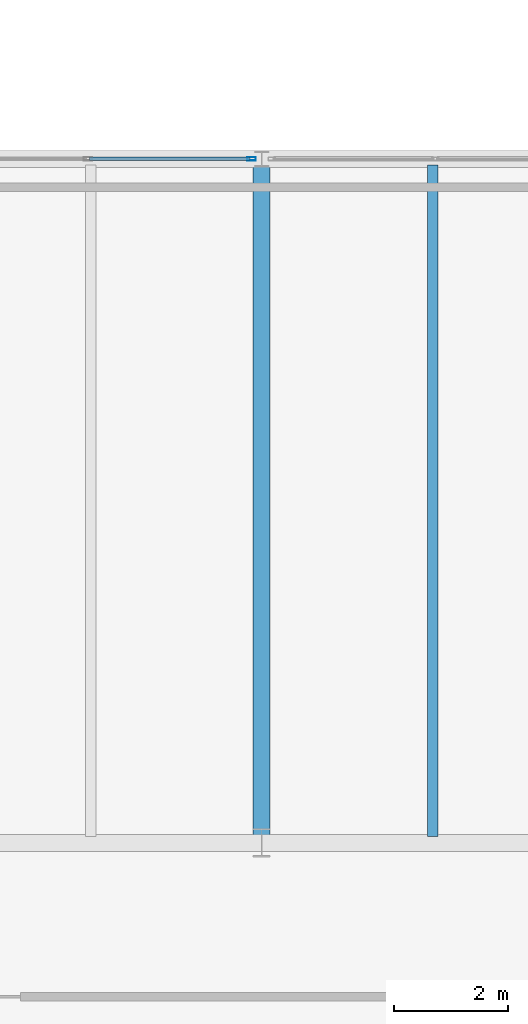
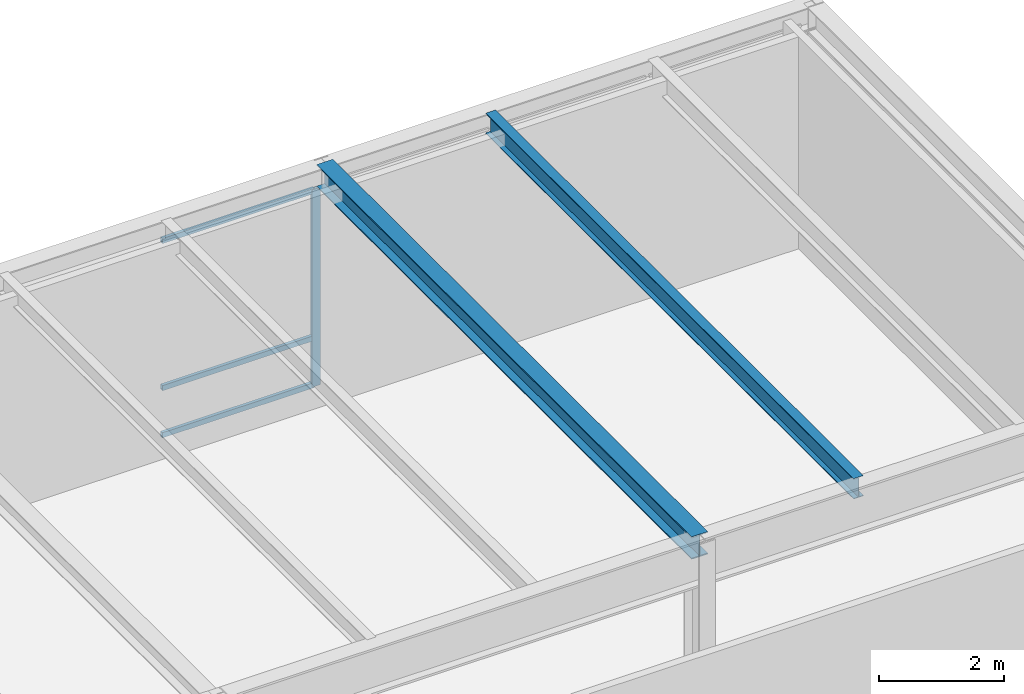
# One storey, part 21 of 142: 4 members, 2 beams, 1 element without a shape of its own.
"""IFC4 building model written with IfcOpenShell, lengths in metres."""

from ifc_helpers import new_model, si_unit, direction, frame, origin, origin_2d, place, context, subcontext, project, spatial, hollow_rectangle, i_section, extrude, material, layer, layer_set, material_profile, profile_set, type_object, element, aggregate, save


model = new_model("IFC4")

# Units and contexts
model_context = context("Model", 3, precision=1e-05, world=origin(), true_north=direction((0.0, 1.0)))
body_context = subcontext(model_context, "Body", "Model", "MODEL_VIEW")
ifc_project = project(units=[si_unit("LENGTHUNIT", "METRE"), si_unit("AREAUNIT", "SQUARE_METRE"), si_unit("VOLUMEUNIT", "CUBIC_METRE"), si_unit("PLANEANGLEUNIT", "RADIAN"), si_unit("MASSUNIT", "GRAM", prefix="KILO")], contexts=[model_context])

# Site, building, storey
site_placement = place(None, origin())
site = spatial("IfcSite", under=ifc_project, at=site_placement, CompositionType="ELEMENT")
building_placement = place(site_placement, origin())
building = spatial("IfcBuilding", under=site, at=building_placement, Name="Montelvaro Courts of Justice", CompositionType="ELEMENT")
storey_placement = place(building_placement, frame((0.0, 0.0, 14.39990234375)))
storey = spatial("IfcBuildingStorey", under=building, at=storey_placement, Name="L03", CompositionType="ELEMENT", Elevation=14.39990234375)

# Beams
ifc_material_1 = material(Name="Steel S355", Category="steel")
ifc_material_profile_1 = material_profile(ifc_material_1, i_section(OverallWidth=0.300048828125, OverallDepth=0.43994140625, WebThickness=0.011474609375, FlangeThickness=0.02099609375, at=origin_2d()), Name="HEA 450")
ifc_profile_set_1 = profile_set([ifc_material_profile_1], Name="Steel S355")
beam_type_1 = type_object("IfcBeamType", Name="Beam_HEA450", PredefinedType="USERDEFINED", material=ifc_profile_set_1)
beam_1_placement = place(storey_placement, frame((36.0, 42.0, 4.080078125), z_axis=(0.0, 1.0, 0.0), x_axis=(-1.0, 0.0, 0.0)))
element("IfcBeam", 1, at=beam_1_placement, inside=storey, type_object=beam_type_1, Name="Beam B-18 L03", ObjectType="GIRDER", PredefinedType="USERDEFINED", context=body_context, shape_type="SweptSolid", body=[
    extrude(i_section(OverallWidth=0.300048828125, OverallDepth=0.43994140625, WebThickness=0.011474609375, FlangeThickness=0.02099609375, at=origin_2d()), origin(), (0.0, 0.0, 1.0), 12.0),
])
ifc_material_profile_2 = material_profile(ifc_material_1, i_section(OverallWidth=0.179931640625, OverallDepth=0.39990234375, WebThickness=0.008544921875, FlangeThickness=0.013427734375, at=origin_2d()), Name="IPE 400")
ifc_profile_set_2 = profile_set([ifc_material_profile_2], Name="Steel S355")
beam_type_2 = type_object("IfcBeamType", Name="Beam_IPE400", PredefinedType="BEAM", material=ifc_profile_set_2)
beam_2_placement = place(storey_placement, frame((39.0, 42.110107421875, 4.10009765625), z_axis=(0.0, 1.0, 0.0), x_axis=(-1.0, 0.0, 0.0)))
element("IfcBeam", 2, at=beam_2_placement, inside=storey, type_object=beam_type_2, Name="Beam B-08 L03", PredefinedType="BEAM", context=body_context, shape_type="SweptSolid", body=[
    extrude(i_section(OverallWidth=0.179931640625, OverallDepth=0.39990234375, WebThickness=0.008544921875, FlangeThickness=0.013427734375, at=origin_2d()), origin(), (0.0, 0.0, 1.0), 11.77978515625),
])

# Curtain wall, members
ifc_material_2 = material(Name="Anodised aluminium EN AW-6063", Category="aluminium")
ifc_layer = layer(ifc_material_2, 0.159912109375)
ifc_layer_set = layer_set([ifc_layer], Name="Anodised aluminium EN AW-6063")
curtain_wall_type = type_object("IfcCurtainWallType", Name="CurtainWall_18_868x418", PredefinedType="USERDEFINED", material=ifc_layer_set)
curtain_wall_placement = place(storey_placement, origin())
curtain_wall = element("IfcCurtainWall", 3, at=curtain_wall_placement, inside=storey, type_object=curtain_wall_type, Name="Curtain Wall CW-18 (L03)", ObjectType="CURTAIN WALL", PredefinedType="USERDEFINED")
ifc_material_profile_3 = material_profile(ifc_material_2, hollow_rectangle(XDim=0.06005859375, YDim=0.14990234375, WallThickness=0.00390625, at=origin_2d()), Name="ALU-M 60x150")
ifc_profile_set_3 = profile_set([ifc_material_profile_3], Name="Anodised aluminium EN AW-6063")
member_type_1 = type_object("IfcMemberType", Name="CurtainWall_Mullion_60x150", PredefinedType="MULLION", material=ifc_profile_set_3)
member_1_placement = place(storey_placement, frame((35.824951171875, 54.0, 0.0), z_axis=(0.0, 0.0, 1.0), x_axis=(0.0, -1.0, 0.0)))
member_1 = element("IfcMember", 4, at=member_1_placement, type_object=member_type_1, Name="CW-18 mullion 1", PredefinedType="MULLION", context=body_context, shape_type="SweptSolid", body=[
    extrude(hollow_rectangle(XDim=0.06005859375, YDim=0.14990234375, WallThickness=0.00390625, at=origin_2d()), origin(), (0.0, 0.0, 1.0), 3.85498046875),
])
ifc_material_profile_4 = material_profile(ifc_material_2, hollow_rectangle(XDim=0.06005859375, YDim=0.10009765625, WallThickness=0.00341796875, at=origin_2d()), Name="ALU-T 60x100")
ifc_profile_set_4 = profile_set([ifc_material_profile_4], Name="Anodised aluminium EN AW-6063")
member_type_2 = type_object("IfcMemberType", Name="CurtainWall_Transom_60x100", PredefinedType="USERDEFINED", material=ifc_profile_set_4)
member_2_placement = place(storey_placement, frame((35.794921875, 54.0, 0.030029296875), z_axis=(-1.0, 0.0, 0.0), x_axis=(0.0, -1.0, 0.0)))
member_2 = element("IfcMember", 5, at=member_2_placement, type_object=member_type_2, Name="CW-18 transom 1.1", ObjectType="TRANSOM", PredefinedType="USERDEFINED", context=body_context, shape_type="SweptSolid", body=[
    extrude(hollow_rectangle(XDim=0.06005859375, YDim=0.10009765625, WallThickness=0.00341796875, at=origin_2d()), origin(), (0.0, 0.0, 1.0), 2.813232421875),
])
member_3_placement = place(storey_placement, frame((35.794921875, 54.0, 0.9501953125), z_axis=(-1.0, 0.0, 0.0), x_axis=(0.0, -1.0, 0.0)))
member_3 = element("IfcMember", 6, at=member_3_placement, type_object=member_type_2, Name="CW-18 transom 1.2", ObjectType="TRANSOM", PredefinedType="USERDEFINED", context=body_context, shape_type="SweptSolid", body=[
    extrude(hollow_rectangle(XDim=0.06005859375, YDim=0.10009765625, WallThickness=0.00341796875, at=origin_2d()), origin(), (0.0, 0.0, 1.0), 2.813232421875),
])
member_4_placement = place(storey_placement, frame((35.794921875, 54.0, 3.8251953125), z_axis=(-1.0, 0.0, 0.0), x_axis=(0.0, -1.0, 0.0)))
member_4 = element("IfcMember", 7, at=member_4_placement, type_object=member_type_2, Name="CW-18 transom 1.3", ObjectType="TRANSOM", PredefinedType="USERDEFINED", context=body_context, shape_type="SweptSolid", body=[
    extrude(hollow_rectangle(XDim=0.06005859375, YDim=0.10009765625, WallThickness=0.00341796875, at=origin_2d()), origin(), (0.0, 0.0, 1.0), 2.813232421875),
])
aggregate(curtain_wall, [member_1, member_2, member_3, member_4])

save(model, "model.ifc")
